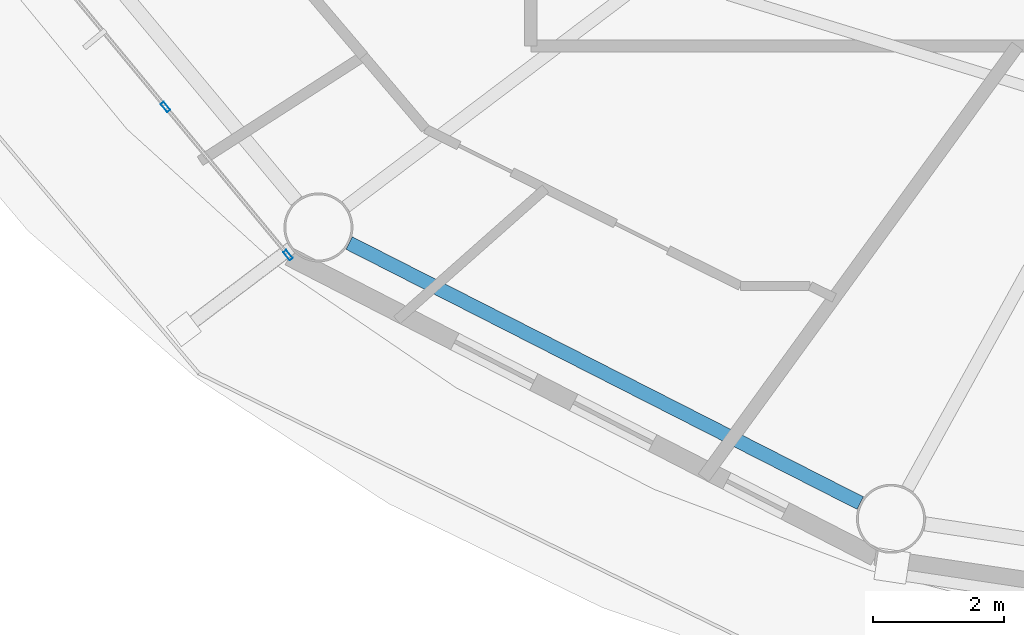
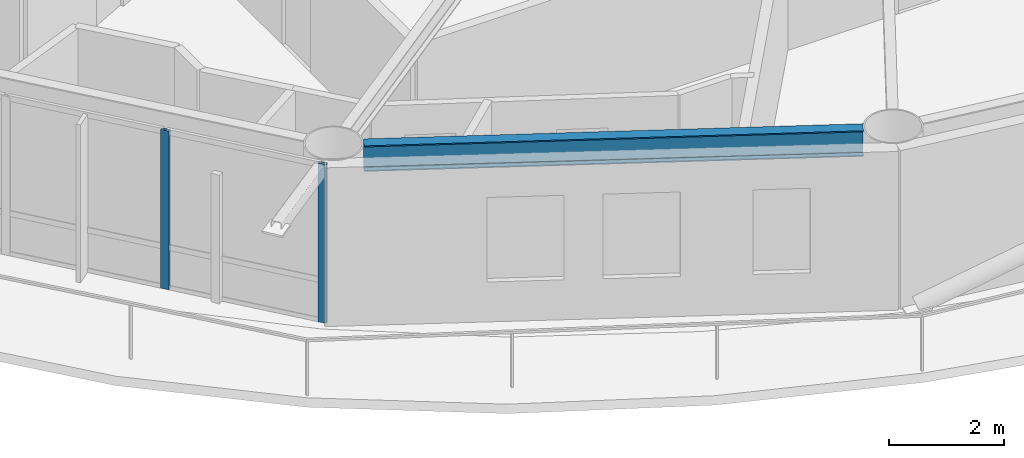
# One storey, part 2 of 30: 2 members, 1 beam, 1 element without a shape of its own.
"""IFC4 building model written with IfcOpenShell, lengths in metres."""

from ifc_helpers import new_model, si_unit, direction, frame, origin, origin_2d, place, context, subcontext, project, spatial, hollow_rectangle, i_section, extrude, material, layer, layer_set, material_profile, profile_set, type_object, element, aggregate, save


model = new_model("IFC4")

# Units and contexts
model_context = context("Model", 3, precision=1e-05, world=origin(), true_north=direction((0.0, 1.0)))
body_context = subcontext(model_context, "Body", "Model", "MODEL_VIEW")
ifc_project = project(units=[si_unit("LENGTHUNIT", "METRE"), si_unit("AREAUNIT", "SQUARE_METRE"), si_unit("VOLUMEUNIT", "CUBIC_METRE"), si_unit("PLANEANGLEUNIT", "RADIAN"), si_unit("MASSUNIT", "GRAM", prefix="KILO")], contexts=[model_context])

# Site, building, storey
site_placement = place(None, origin())
site = spatial("IfcSite", under=ifc_project, at=site_placement, CompositionType="ELEMENT")
building_placement = place(site_placement, origin())
building = spatial("IfcBuilding", under=site, at=building_placement, Name="Sarneth Arch Tower", CompositionType="ELEMENT")
storey_placement = place(building_placement, frame((0.0, 0.0, 168.60009765625)))
storey = spatial("IfcBuildingStorey", under=building, at=storey_placement, Name="L42", CompositionType="ELEMENT", Elevation=168.60009765625)

# Beam
ifc_material_1 = material(Name="Steel S355", Category="steel")
ifc_material_profile_1 = material_profile(ifc_material_1, i_section(OverallWidth=0.214111328125, OverallDepth=0.549072265625, WebThickness=0.0146484375, FlangeThickness=0.023681640625, FilletRadius=0.01806640625, at=origin_2d()), Name="W530x138")
ifc_profile_set_1 = profile_set([ifc_material_profile_1], Name="Steel S355")
beam_type = type_object("IfcBeamType", Name="BM-RAD-530A", PredefinedType="BEAM", material=ifc_profile_set_1)
beam_placement = place(storey_placement, frame((29.334228515625, 27.301513671875, 3.10546875), z_axis=(0.891254220899, -0.453504039374, 0.0), x_axis=(0.453504039374, 0.891254220899, 0.0)))
element("IfcBeam", 1, at=beam_placement, inside=storey, type_object=beam_type, Name="L42 Perimeter spandrel beam 11", PredefinedType="BEAM", context=body_context, shape_type="SweptSolid", body=[
    extrude(i_section(OverallWidth=0.214111328125, OverallDepth=0.549072265625, WebThickness=0.0146484375, FlangeThickness=0.023681640625, FilletRadius=0.01806640625, at=origin_2d()), origin(), (0.0, 0.0, 1.0), 8.724853515625),
])

# Curtain wall, members
ifc_material_2 = material(Name="Anodised aluminium Type AA25 and solar-control low-e laminated IGU", Category="aluminium")
ifc_layer = layer(ifc_material_2, 0.169921875)
ifc_layer_set = layer_set([ifc_layer], Name="Anodised aluminium Type AA25 and solar-control low-e laminated IGU")
curtain_wall_type = type_object("IfcCurtainWallType", Name="CW-RES-MID", PredefinedType="NOTDEFINED", material=ifc_layer_set)
curtain_wall_placement = place(storey_placement, origin())
curtain_wall = element("IfcCurtainWall", 2, at=curtain_wall_placement, inside=storey, type_object=curtain_wall_type, Name="L42 Unitised curtain wall facet 10", PredefinedType="NOTDEFINED")
ifc_material_3 = material(Name="Anodised Aluminium 6063-T6", Category="aluminium")
ifc_material_profile_2 = material_profile(ifc_material_3, hollow_rectangle(XDim=0.06005859375, YDim=0.159912109375, WallThickness=0.00390625, at=origin_2d()), Name="AL-MULL-160x60x4")
ifc_profile_set_2 = profile_set([ifc_material_profile_2], Name="Anodised Aluminium 6063-T6")
member_type = type_object("IfcMemberType", Name="CW-MULLION", PredefinedType="MULLION", material=ifc_profile_set_2)
member_1_placement = place(storey_placement, frame((26.53857421875, 29.373779296875, 0.0), z_axis=(0.0, 0.0, 1.0), x_axis=(0.770590741276, 0.637330298558, 0.0)))
member_1 = element("IfcMember", 3, at=member_1_placement, type_object=member_type, Name="CW-SYS-5 mullion 3", PredefinedType="MULLION", context=body_context, shape_type="SweptSolid", body=[
    extrude(hollow_rectangle(XDim=0.06005859375, YDim=0.159912109375, WallThickness=0.00390625, at=origin_2d()), origin(), (0.0, 0.0, 1.0), 3.3798828125),
])
member_2_placement = place(storey_placement, frame((28.40478515625, 27.1171875, 0.0), z_axis=(0.0, 0.0, 1.0), x_axis=(0.770590741276, 0.637330298558, 0.0)))
member_2 = element("IfcMember", 4, at=member_2_placement, type_object=member_type, Name="CW-SYS-5 mullion 4", PredefinedType="MULLION", context=body_context, shape_type="SweptSolid", body=[
    extrude(hollow_rectangle(XDim=0.06005859375, YDim=0.159912109375, WallThickness=0.00390625, at=origin_2d()), origin(), (0.0, 0.0, 1.0), 3.3798828125),
])
aggregate(curtain_wall, [member_1, member_2])

save(model, "model.ifc")
